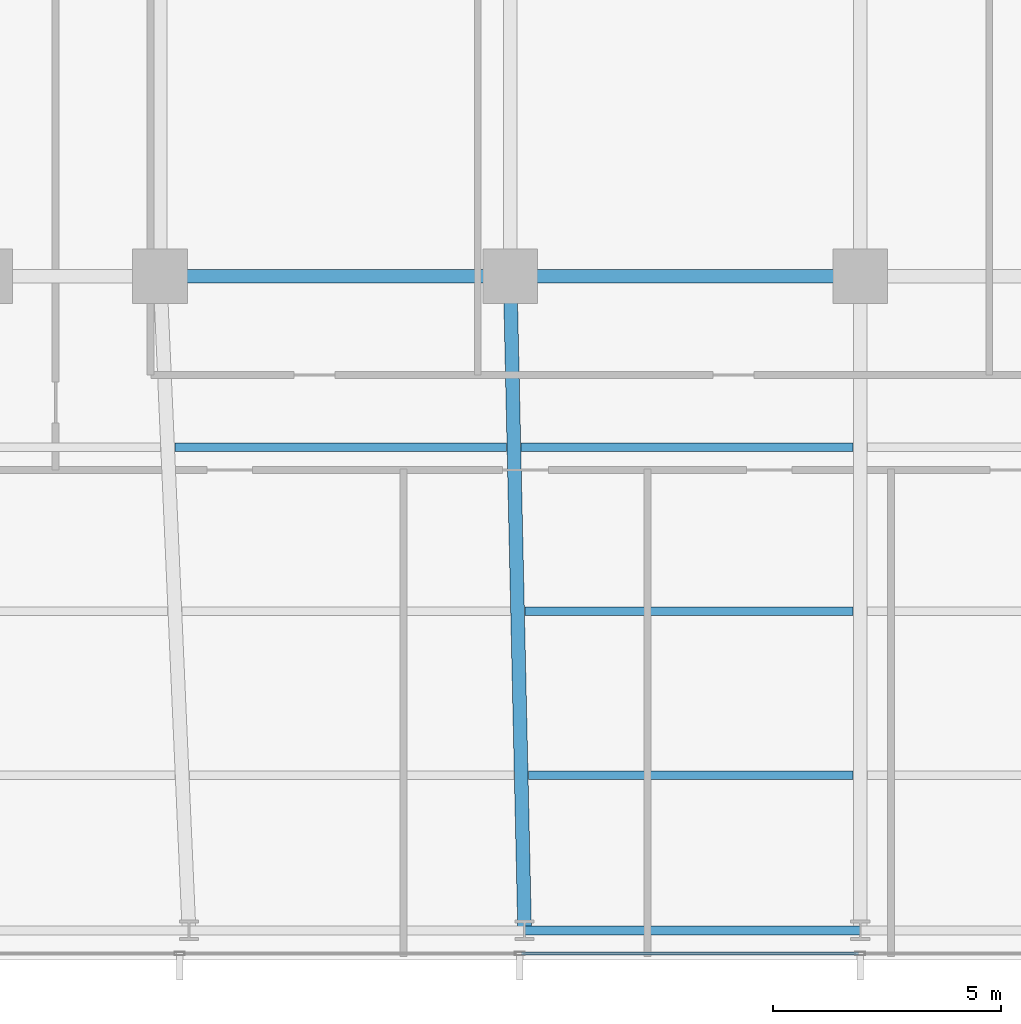
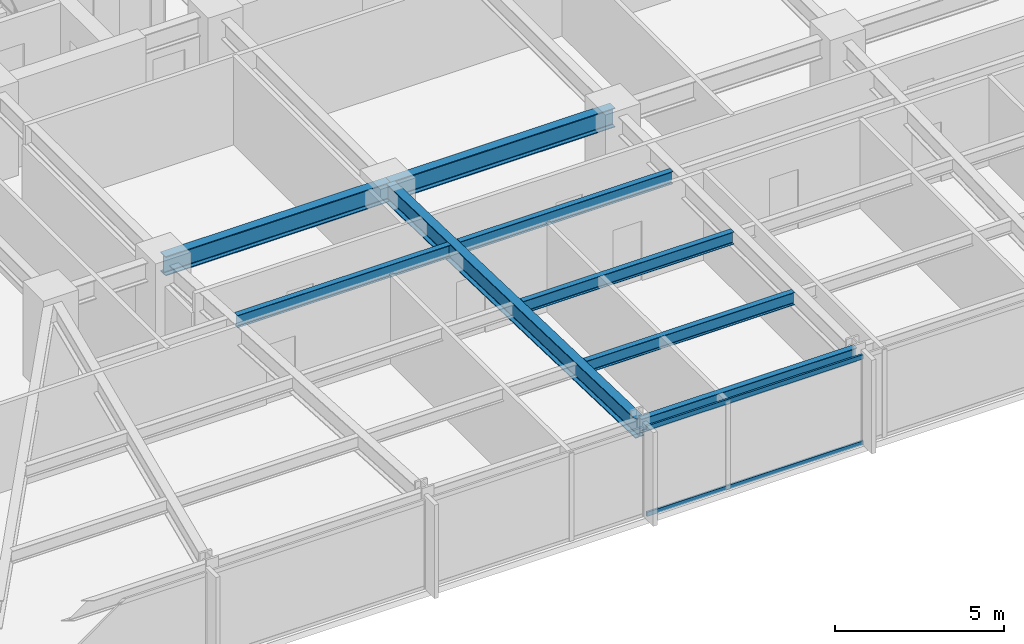
# One storey, part 6 of 32: 8 beams, 2 members, 1 element without a shape of its own.
"""IFC4 building model written with IfcOpenShell, lengths in metres."""

from ifc_helpers import new_model, si_unit, direction, frame, origin, origin_2d, place, context, subcontext, project, spatial, hollow_rectangle, i_section, extrude, material, material_profile, profile_set, type_object, element, aggregate, save


model = new_model("IFC4")

# Units and contexts
model_context = context("Model", 3, precision=1e-05, world=origin(), true_north=direction((0.0, 1.0)))
body_context = subcontext(model_context, "Body", "Model", "MODEL_VIEW")
ifc_project = project(units=[si_unit("LENGTHUNIT", "METRE"), si_unit("AREAUNIT", "SQUARE_METRE"), si_unit("VOLUMEUNIT", "CUBIC_METRE"), si_unit("PLANEANGLEUNIT", "RADIAN"), si_unit("MASSUNIT", "GRAM", prefix="KILO")], contexts=[model_context])

# Site, building, storey
site_placement = place(None, origin())
site = spatial("IfcSite", under=ifc_project, at=site_placement, CompositionType="ELEMENT")
building_placement = place(site_placement, origin())
building = spatial("IfcBuilding", under=site, at=building_placement, Name="Yelkora Congress Tower", CompositionType="ELEMENT")
storey_placement = place(building_placement, frame((0.0, 0.0, 40.60009765625)))
storey = spatial("IfcBuildingStorey", under=building, at=storey_placement, Name="L09", CompositionType="ELEMENT", Elevation=40.60009765625)

# Beams
ifc_material_1 = material(Name="Steel S355J2", Category="steel")
ifc_material_profile_1 = material_profile(ifc_material_1, i_section(OverallWidth=0.300048828125, OverallDepth=0.699951171875, WebThickness=0.01708984375, FlangeThickness=0.031982421875, FilletRadius=0.027099609375, at=origin_2d()), Name="HEB 700")
ifc_profile_set_1 = profile_set([ifc_material_profile_1], Name="Steel S355J2")
beam_type_1 = type_object("IfcBeamType", Name="BM-GIRD-HEB700", PredefinedType="BEAM", material=ifc_profile_set_1)
for number, where, z_axis, x_axis, name in (
    (1, (23.0400390625, 25.199951171875, 2.829833984375), (1.0, 0.0, 0.0), (0.0, 1.0, 0.0), "L09 Spine Grid D Girder 2"),
    (2, (30.719970703125, 25.199951171875, 2.829833984375), (1.0, 0.0, 0.0), (0.0, 1.0, 0.0), "L09 Spine Grid D Girder 3"),
):
    element("IfcBeam", number, at=place(storey_placement, frame(where, z_axis=z_axis, x_axis=x_axis)), inside=storey, type_object=beam_type_1, Name=name, PredefinedType="BEAM", context=body_context, shape_type="SweptSolid", body=[
        extrude(i_section(OverallWidth=0.300048828125, OverallDepth=0.699951171875, WebThickness=0.01708984375, FlangeThickness=0.031982421875, FilletRadius=0.027099609375, at=origin_2d()), origin(), (0.0, 0.0, 1.0), 7.679931640625),
    ])
beam_1_placement = place(storey_placement, frame((31.03759765625, 10.85009765625, 2.829833984375), z_axis=(-0.022129088136, 0.999755121746, 0.0), x_axis=(-0.999755121746, -0.022129088136, 0.0)))
element("IfcBeam", 3, at=beam_1_placement, inside=storey, type_object=beam_type_1, Name="L09 Primary Frame Girder S04", PredefinedType="BEAM", context=body_context, shape_type="SweptSolid", body=[
    extrude(i_section(OverallWidth=0.300048828125, OverallDepth=0.699951171875, WebThickness=0.01708984375, FlangeThickness=0.031982421875, FilletRadius=0.027099609375, at=origin_2d()), origin(), (0.0, 0.0, 1.0), 14.353271484375),
])
ifc_material_profile_2 = material_profile(ifc_material_1, i_section(OverallWidth=0.18994140625, OverallDepth=0.449951171875, WebThickness=0.009521484375, FlangeThickness=0.0146484375, FilletRadius=0.02099609375, at=origin_2d()), Name="IPE 450")
ifc_profile_set_2 = profile_set([ifc_material_profile_2], Name="Steel S355J2")
beam_type_2 = type_object("IfcBeamType", Name="BM-JOIST-IPE450", PredefinedType="JOIST", material=ifc_profile_set_2)
beam_2_placement = place(storey_placement, frame((31.122314453125, 14.25, 2.954833984375), z_axis=(1.0, 0.0, 0.0), x_axis=(0.0, 1.0, 0.0)))
element("IfcBeam", 4, at=beam_2_placement, inside=storey, type_object=beam_type_2, Name="L09 Composite Floor Joist 4", PredefinedType="JOIST", context=body_context, shape_type="SweptSolid", body=[
    extrude(i_section(OverallWidth=0.18994140625, OverallDepth=0.449951171875, WebThickness=0.009521484375, FlangeThickness=0.0146484375, FilletRadius=0.02099609375, at=origin_2d()), origin(), (0.0, 0.0, 1.0), 7.11767578125),
])
beam_3_placement = place(storey_placement, frame((31.04248046875, 17.85009765625, 2.954833984375), z_axis=(1.0, 0.0, 0.0), x_axis=(0.0, 1.0, 0.0)))
element("IfcBeam", 5, at=beam_3_placement, inside=storey, type_object=beam_type_2, Name="L09 Composite Floor Joist 12", PredefinedType="JOIST", context=body_context, shape_type="SweptSolid", body=[
    extrude(i_section(OverallWidth=0.18994140625, OverallDepth=0.449951171875, WebThickness=0.009521484375, FlangeThickness=0.0146484375, FilletRadius=0.02099609375, at=origin_2d()), origin(), (0.0, 0.0, 1.0), 7.197509765625),
])
for number, where, z_axis, x_axis, name in (
    (6, (23.365966796875, 21.449951171875, 2.954833984375), (1.0, 0.0, 0.0), (0.0, 1.0, 0.0), "L09 Composite Floor Joist 18"),
    (7, (30.962890625, 21.449951171875, 2.954833984375), (1.0, 0.0, 0.0), (0.0, 1.0, 0.0), "L09 Composite Floor Joist 19"),
):
    element("IfcBeam", number, at=place(storey_placement, frame(where, z_axis=z_axis, x_axis=x_axis)), inside=storey, type_object=beam_type_2, Name=name, PredefinedType="JOIST", context=body_context, shape_type="SweptSolid", body=[
        extrude(i_section(OverallWidth=0.18994140625, OverallDepth=0.449951171875, WebThickness=0.009521484375, FlangeThickness=0.0146484375, FilletRadius=0.02099609375, at=origin_2d()), origin(), (0.0, 0.0, 1.0), 7.277099609375),
    ])
ifc_material_profile_3 = material_profile(ifc_material_1, i_section(OverallWidth=0.199951171875, OverallDepth=0.5, WebThickness=0.01025390625, FlangeThickness=0.01611328125, FilletRadius=0.02099609375, at=origin_2d()), Name="IPE 500")
ifc_profile_set_3 = profile_set([ifc_material_profile_3], Name="Steel S355J2")
beam_type_3 = type_object("IfcBeamType", Name="BM-SPAN-IPE500", PredefinedType="SPANDREL", material=ifc_profile_set_3)
beam_4_placement = place(storey_placement, frame((31.03759765625, 10.85009765625, 2.929931640625), z_axis=(1.0, 0.0, 0.0), x_axis=(0.0, 1.0, 0.0)))
element("IfcBeam", 8, at=beam_4_placement, inside=storey, type_object=beam_type_3, Name="L09 Perimeter Beam 5", PredefinedType="SPANDREL", context=body_context, shape_type="SweptSolid", body=[
    extrude(i_section(OverallWidth=0.199951171875, OverallDepth=0.5, WebThickness=0.01025390625, FlangeThickness=0.01611328125, FilletRadius=0.02099609375, at=origin_2d()), origin(), (0.0, 0.0, 1.0), 7.3623046875),
])

# Curtain wall, members
ifc_material_2 = material(Name="Anodised aluminium and insulated glass", Category="aluminium")
curtain_wall_type = type_object("IfcCurtainWallType", Name="CW-SYS-B1", PredefinedType="NOTDEFINED", material=ifc_material_2)
curtain_wall_placement = place(storey_placement, origin())
curtain_wall = element("IfcCurtainWall", 9, at=curtain_wall_placement, inside=storey, type_object=curtain_wall_type, Name="L09 Unitised Curtain Wall 20", PredefinedType="NOTDEFINED")
ifc_material_3 = material(Name="Anodised aluminium 6063-T6", Category="aluminium")
ifc_material_profile_4 = material_profile(ifc_material_3, hollow_rectangle(XDim=0.06494140625, YDim=0.159912109375, WallThickness=0.00390625, at=origin_2d()), Name="ALU 65x160x4")
ifc_profile_set_4 = profile_set([ifc_material_profile_4], Name="Anodised aluminium 6063-T6")
member_type = type_object("IfcMemberType", Name="MEM-TR-B1", PredefinedType="USERDEFINED", material=ifc_profile_set_4)
member_1_placement = place(storey_placement, frame((38.362548828125, 10.340087890625, 0.032470703125), z_axis=(-1.0, 0.0, 0.0), x_axis=(0.0, -1.0, 0.0)))
member_1 = element("IfcMember", 10, at=member_1_placement, type_object=member_type, Name="CW-B1 transom 5.1", ObjectType="TRANSOM", PredefinedType="USERDEFINED", context=body_context, shape_type="SweptSolid", body=[
    extrude(hollow_rectangle(XDim=0.06494140625, YDim=0.159912109375, WallThickness=0.00390625, at=origin_2d()), origin(), (0.0, 0.0, 1.0), 7.39013671875),
])
member_2_placement = place(storey_placement, frame((38.362548828125, 10.340087890625, 3.1474609375), z_axis=(-1.0, 0.0, 0.0), x_axis=(0.0, -1.0, 0.0)))
member_2 = element("IfcMember", 11, at=member_2_placement, type_object=member_type, Name="CW-B1 transom 5.2", ObjectType="TRANSOM", PredefinedType="USERDEFINED", context=body_context, shape_type="SweptSolid", body=[
    extrude(hollow_rectangle(XDim=0.06494140625, YDim=0.159912109375, WallThickness=0.00390625, at=origin_2d()), origin(), (0.0, 0.0, 1.0), 7.39013671875),
])
aggregate(curtain_wall, [member_1, member_2])

save(model, "model.ifc")
